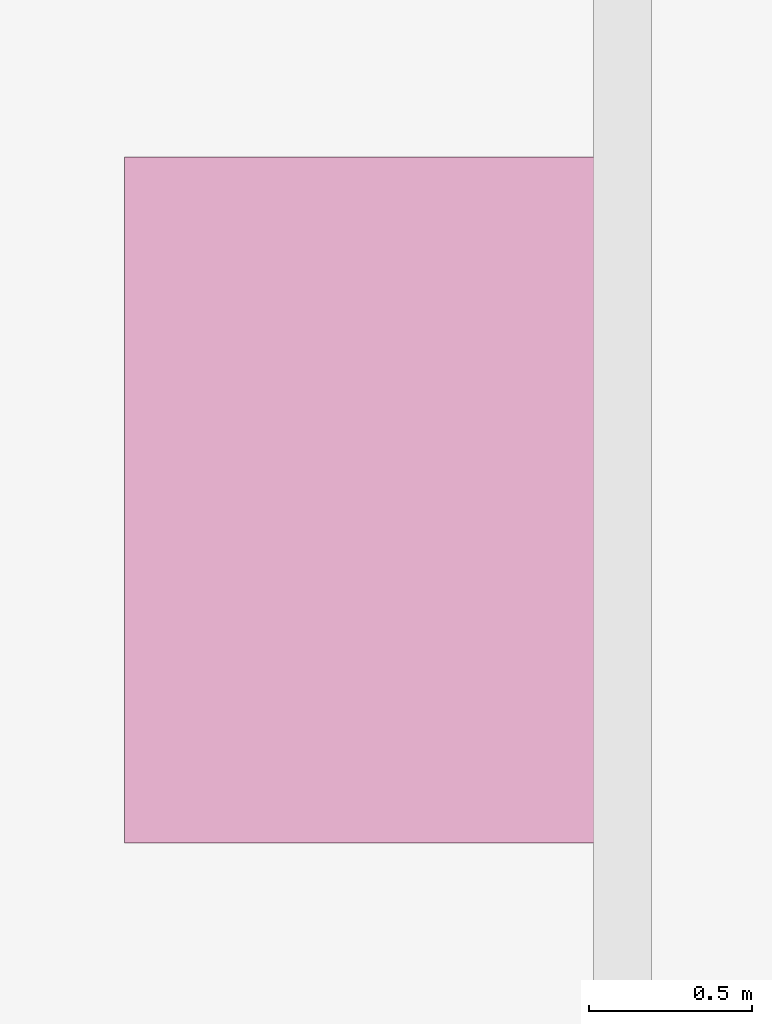
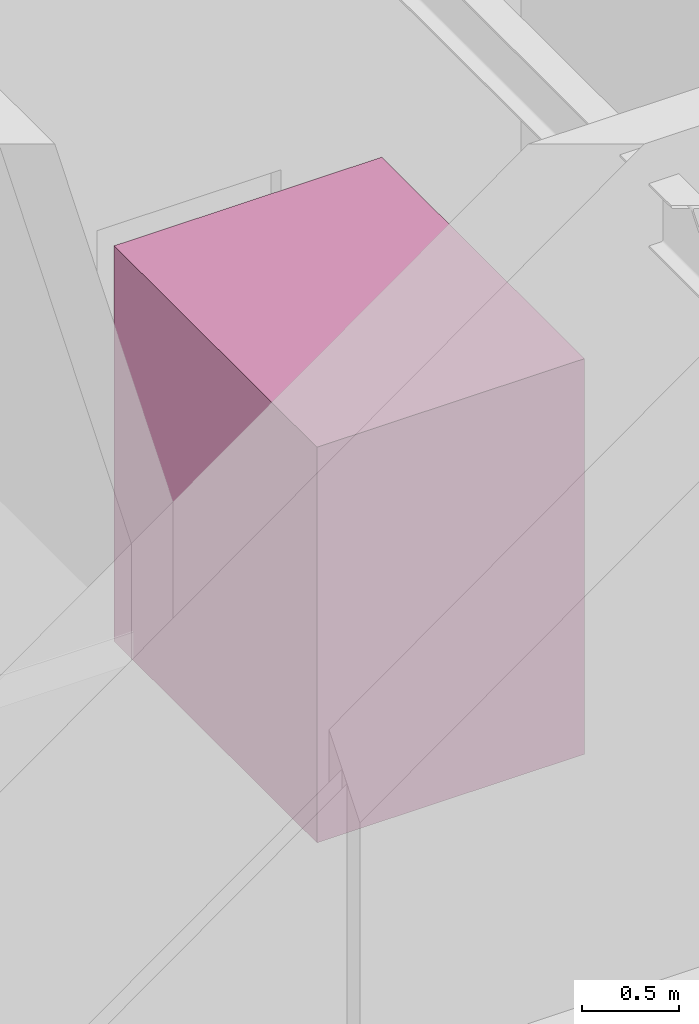
# One storey, part 119 of 119: 1 transport element.
"""IFC4 building model written with IfcOpenShell, lengths in metres."""

from ifc_helpers import new_model, si_unit, derived_unit, direction, frame, origin, origin_2d_with_axis, place, context, subcontext, project, spatial, rectangle, extrude, material, type_object, element, save


model = new_model("IFC4")

# Units and contexts
model_context = context("Model", 3, precision=1e-05, world=origin(), true_north=direction((0.0, 1.0)))
body_context = subcontext(model_context, "Body", "Model", "MODEL_VIEW")
ifc_project = project(units=[si_unit("LENGTHUNIT", "METRE"), si_unit("AREAUNIT", "SQUARE_METRE"), si_unit("VOLUMEUNIT", "CUBIC_METRE"), si_unit("PLANEANGLEUNIT", "RADIAN"), si_unit("MASSUNIT", "GRAM", prefix="KILO"), derived_unit("THERMALTRANSMITTANCEUNIT", [(si_unit("POWERUNIT", "WATT"), 1), (si_unit("LENGTHUNIT", "METRE"), -2), (si_unit("THERMODYNAMICTEMPERATUREUNIT", "KELVIN"), -1)])], contexts=[model_context])

# Site, building, storey
site_placement = place(None, origin())
site = spatial("IfcSite", under=ifc_project, at=site_placement, CompositionType="ELEMENT")
building_placement = place(site_placement, origin())
building = spatial("IfcBuilding", under=site, at=building_placement, Name="Cinnabar Yard Market Hall", CompositionType="ELEMENT")
storey_placement = place(building_placement, origin())
storey = spatial("IfcBuildingStorey", under=building, at=storey_placement, Name="L00", CompositionType="ELEMENT", Elevation=0.0)

# Transport element
ifc_material = material(Name="Brushed stainless steel lift car", Category="steel")
transport_element_type = type_object("IfcTransportElementType", Name="TRN-LF-CAR2", PredefinedType="ELEVATOR", material=ifc_material)
transport_element_placement = place(storey_placement, frame((30.27490234375, 50.85009765625, 0.0), z_axis=(0.0, 0.0, 1.0), x_axis=(1.0, 0.0, 0.0)))
element("IfcTransportElement", 1, at=transport_element_placement, inside=storey, type_object=transport_element_type, Name="Lift LP-03", PredefinedType="ELEVATOR", context=body_context, shape_type="SweptSolid", body=[
    extrude(rectangle(XDim=1.60009765625, YDim=2.10009765625, at=origin_2d_with_axis()), origin(), (0.0, 0.0, 1.0), 2.5),
])

save(model, "model.ifc")
